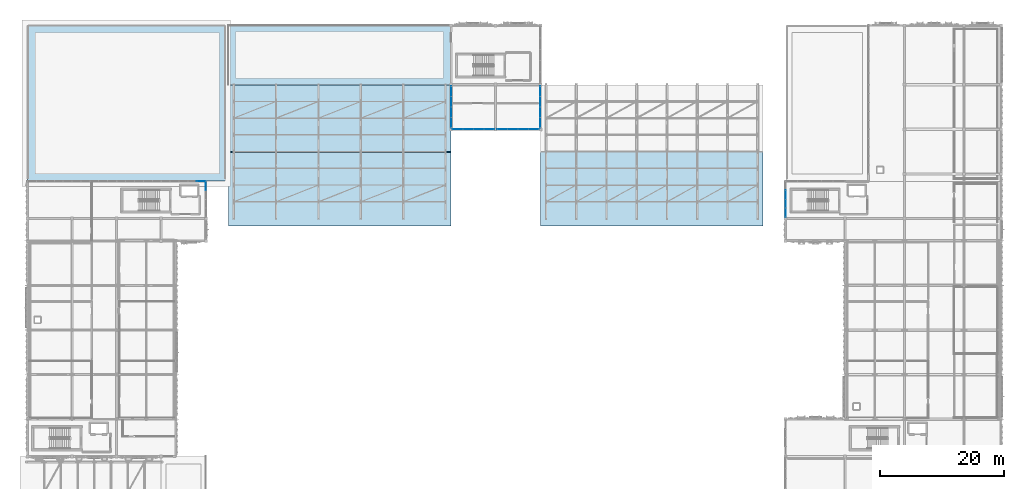
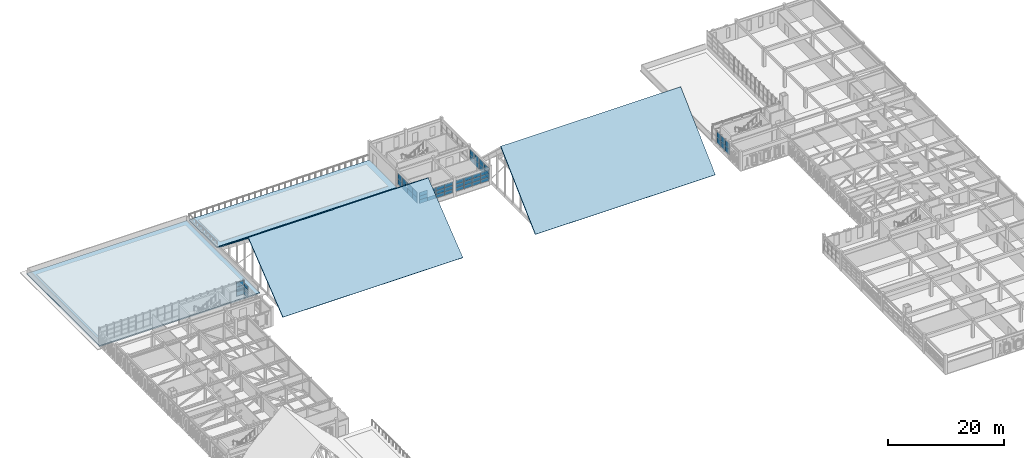
# One storey, part 36 of 79: 52 plates, 5 slabs, 7 elements without a shape of their own.
"""IFC4 building model written with IfcOpenShell, lengths in metres."""

from ifc_helpers import new_model, si_unit, direction, frame, origin, origin_2d, place, context, subcontext, project, spatial, polyline, rectangle, outline, extrude, material, layer, layer_set, type_object, element, aggregate, save


model = new_model("IFC4")

# Units and contexts
model_context = context("Model", 3, precision=1e-05, world=origin(), true_north=direction((0.0, 1.0)))
body_context = subcontext(model_context, "Body", "Model", "MODEL_VIEW")
ifc_project = project(units=[si_unit("LENGTHUNIT", "METRE"), si_unit("AREAUNIT", "SQUARE_METRE"), si_unit("VOLUMEUNIT", "CUBIC_METRE"), si_unit("PLANEANGLEUNIT", "RADIAN"), si_unit("MASSUNIT", "GRAM", prefix="KILO")], contexts=[model_context])

# Site, building, storey
site_placement = place(None, origin())
site = spatial("IfcSite", under=ifc_project, at=site_placement, CompositionType="ELEMENT")
building_placement = place(site_placement, origin())
building = spatial("IfcBuilding", under=site, at=building_placement, Name="Nzembalo Square Collegiate School", CompositionType="ELEMENT")
storey_placement = place(building_placement, frame((0.0, 0.0, 9.52001953125)))
storey = spatial("IfcBuildingStorey", under=building, at=storey_placement, Name="L02", CompositionType="ELEMENT", Elevation=9.52001953125)

# Curtain wall, plates
ifc_material_1 = material(Name="Aluminium 6060-T66", Category="aluminium")
curtain_wall_type_1 = type_object("IfcCurtainWallType", Name="CW-09", PredefinedType="USERDEFINED", material=ifc_material_1)
curtain_wall_1_placement = place(storey_placement, origin())
curtain_wall_1 = element("IfcCurtainWall", 1, at=curtain_wall_1_placement, inside=storey, type_object=curtain_wall_type_1, Name="Curtain wall CW-09 cw:L02:108", ObjectType="UNITISED", PredefinedType="USERDEFINED")
ifc_material_2 = material(Name="Laminated solar-control double glazing", Category="glass")
ifc_layer_1 = layer(ifc_material_2, 0.028076171875, Name="Laminated solar-control double glazing")
ifc_layer_set_1 = layer_set([ifc_layer_1], Name="Laminated solar-control double glazing")
plate_type_1 = type_object("IfcPlateType", Name="PN01", PredefinedType="CURTAIN_PANEL", material=ifc_layer_set_1)
plate_1_placement = place(storey_placement, frame((36.47998046875, 88.800048828125, 0.85400390625), z_axis=(0.0, 0.0, 1.0), x_axis=(1.0, 0.0, 0.0)))
plate_1 = element("IfcPlate", 2, at=plate_1_placement, type_object=plate_type_1, Name="PN01 glazed panel 1-5", PredefinedType="CURTAIN_PANEL", context=body_context, shape_type="SweptSolid", body=[
    extrude(rectangle(XDim=1.431884765625, YDim=0.028076171875, at=origin_2d()), origin(), (0.0, 0.0, 1.0), 0.966552734375),
])
plate_2_placement = place(storey_placement, frame((36.47998046875, 88.800048828125, 1.82861328125), z_axis=(0.0, 0.0, 1.0), x_axis=(1.0, 0.0, 0.0)))
plate_2 = element("IfcPlate", 3, at=plate_2_placement, type_object=plate_type_1, Name="PN01 glazed panel 2-5", PredefinedType="CURTAIN_PANEL", context=body_context, shape_type="SweptSolid", body=[
    extrude(rectangle(XDim=1.431884765625, YDim=0.028076171875, at=origin_2d()), origin(), (0.0, 0.0, 1.0), 0.966552734375),
])
plate_3_placement = place(storey_placement, frame((36.47998046875, 88.800048828125, 2.80322265625), z_axis=(0.0, 0.0, 1.0), x_axis=(1.0, 0.0, 0.0)))
plate_3 = element("IfcPlate", 4, at=plate_3_placement, type_object=plate_type_1, Name="PN01 glazed panel 3-5", PredefinedType="CURTAIN_PANEL", context=body_context, shape_type="SweptSolid", body=[
    extrude(rectangle(XDim=1.431884765625, YDim=0.028076171875, at=origin_2d()), origin(), (0.0, 0.0, 1.0), 0.966552734375),
])
aggregate(curtain_wall_1, [plate_1, plate_2, plate_3])

ifc_material_3 = material(Name="Aluminium 6060-T66", Category="aluminium")
curtain_wall_type_2 = type_object("IfcCurtainWallType", Name="CW-01", PredefinedType="USERDEFINED", material=ifc_material_3)
curtain_wall_2_placement = place(storey_placement, origin())
curtain_wall_2 = element("IfcCurtainWall", 5, at=curtain_wall_2_placement, inside=storey, type_object=curtain_wall_type_2, Name="Curtain wall CW-01 cw:L02:112", ObjectType="UNITISED", PredefinedType="USERDEFINED")
plate_4_placement = place(storey_placement, frame((77.881591796875, 97.199951171875, 0.85400390625), z_axis=(0.0, 0.0, 1.0), x_axis=(1.0, 0.0, 0.0)))
plate_4 = element("IfcPlate", 6, at=plate_4_placement, type_object=plate_type_1, Name="PN01 glazed panel 1-1", PredefinedType="CURTAIN_PANEL", context=body_context, shape_type="SweptSolid", body=[
    extrude(rectangle(XDim=1.6708984375, YDim=0.028076171875, at=origin_2d()), origin(), (0.0, 0.0, 1.0), 0.78173828125),
])
plate_5_placement = place(storey_placement, frame((79.560546875, 97.199951171875, 0.85400390625), z_axis=(0.0, 0.0, 1.0), x_axis=(1.0, 0.0, 0.0)))
plate_5 = element("IfcPlate", 7, at=plate_5_placement, type_object=plate_type_1, Name="PN01 glazed panel 1-2", PredefinedType="CURTAIN_PANEL", context=body_context, shape_type="SweptSolid", body=[
    extrude(rectangle(XDim=1.6708984375, YDim=0.028076171875, at=origin_2d()), origin(), (0.0, 0.0, 1.0), 0.78173828125),
])
plate_6_placement = place(storey_placement, frame((81.239501953125, 97.199951171875, 0.85400390625), z_axis=(0.0, 0.0, 1.0), x_axis=(1.0, 0.0, 0.0)))
plate_6 = element("IfcPlate", 8, at=plate_6_placement, type_object=plate_type_1, Name="PN01 glazed panel 1-3", PredefinedType="CURTAIN_PANEL", context=body_context, shape_type="SweptSolid", body=[
    extrude(rectangle(XDim=1.6708984375, YDim=0.028076171875, at=origin_2d()), origin(), (0.0, 0.0, 1.0), 0.78173828125),
])
plate_7_placement = place(storey_placement, frame((82.91845703125, 97.199951171875, 0.85400390625), z_axis=(0.0, 0.0, 1.0), x_axis=(1.0, 0.0, 0.0)))
plate_7 = element("IfcPlate", 9, at=plate_7_placement, type_object=plate_type_1, Name="PN01 glazed panel 1-4", PredefinedType="CURTAIN_PANEL", context=body_context, shape_type="SweptSolid", body=[
    extrude(rectangle(XDim=1.6708984375, YDim=0.028076171875, at=origin_2d()), origin(), (0.0, 0.0, 1.0), 0.78173828125),
])
plate_8_placement = place(storey_placement, frame((77.881591796875, 97.199951171875, 1.6435546875), z_axis=(0.0, 0.0, 1.0), x_axis=(1.0, 0.0, 0.0)))
plate_8 = element("IfcPlate", 10, at=plate_8_placement, type_object=plate_type_1, Name="PN01 glazed panel 2-1", PredefinedType="CURTAIN_PANEL", context=body_context, shape_type="SweptSolid", body=[
    extrude(rectangle(XDim=1.6708984375, YDim=0.028076171875, at=origin_2d()), origin(), (0.0, 0.0, 1.0), 0.78173828125),
])
plate_9_placement = place(storey_placement, frame((79.560546875, 97.199951171875, 1.6435546875), z_axis=(0.0, 0.0, 1.0), x_axis=(1.0, 0.0, 0.0)))
plate_9 = element("IfcPlate", 11, at=plate_9_placement, type_object=plate_type_1, Name="PN01 glazed panel 2-2", PredefinedType="CURTAIN_PANEL", context=body_context, shape_type="SweptSolid", body=[
    extrude(rectangle(XDim=1.6708984375, YDim=0.028076171875, at=origin_2d()), origin(), (0.0, 0.0, 1.0), 0.78173828125),
])
plate_10_placement = place(storey_placement, frame((81.239501953125, 97.199951171875, 1.6435546875), z_axis=(0.0, 0.0, 1.0), x_axis=(1.0, 0.0, 0.0)))
plate_10 = element("IfcPlate", 12, at=plate_10_placement, type_object=plate_type_1, Name="PN01 glazed panel 2-3", PredefinedType="CURTAIN_PANEL", context=body_context, shape_type="SweptSolid", body=[
    extrude(rectangle(XDim=1.6708984375, YDim=0.028076171875, at=origin_2d()), origin(), (0.0, 0.0, 1.0), 0.78173828125),
])
plate_11_placement = place(storey_placement, frame((82.91845703125, 97.199951171875, 1.6435546875), z_axis=(0.0, 0.0, 1.0), x_axis=(1.0, 0.0, 0.0)))
plate_11 = element("IfcPlate", 13, at=plate_11_placement, type_object=plate_type_1, Name="PN01 glazed panel 2-4", PredefinedType="CURTAIN_PANEL", context=body_context, shape_type="SweptSolid", body=[
    extrude(rectangle(XDim=1.6708984375, YDim=0.028076171875, at=origin_2d()), origin(), (0.0, 0.0, 1.0), 0.78173828125),
])
plate_12_placement = place(storey_placement, frame((77.881591796875, 97.199951171875, 2.433349609375), z_axis=(0.0, 0.0, 1.0), x_axis=(1.0, 0.0, 0.0)))
plate_12 = element("IfcPlate", 14, at=plate_12_placement, type_object=plate_type_1, Name="PN01 glazed panel 3-1", PredefinedType="CURTAIN_PANEL", context=body_context, shape_type="SweptSolid", body=[
    extrude(rectangle(XDim=1.6708984375, YDim=0.028076171875, at=origin_2d()), origin(), (0.0, 0.0, 1.0), 0.78173828125),
])
plate_13_placement = place(storey_placement, frame((79.560546875, 97.199951171875, 2.433349609375), z_axis=(0.0, 0.0, 1.0), x_axis=(1.0, 0.0, 0.0)))
plate_13 = element("IfcPlate", 15, at=plate_13_placement, type_object=plate_type_1, Name="PN01 glazed panel 3-2", PredefinedType="CURTAIN_PANEL", context=body_context, shape_type="SweptSolid", body=[
    extrude(rectangle(XDim=1.6708984375, YDim=0.028076171875, at=origin_2d()), origin(), (0.0, 0.0, 1.0), 0.78173828125),
])
plate_14_placement = place(storey_placement, frame((81.239501953125, 97.199951171875, 2.433349609375), z_axis=(0.0, 0.0, 1.0), x_axis=(1.0, 0.0, 0.0)))
plate_14 = element("IfcPlate", 16, at=plate_14_placement, type_object=plate_type_1, Name="PN01 glazed panel 3-3", PredefinedType="CURTAIN_PANEL", context=body_context, shape_type="SweptSolid", body=[
    extrude(rectangle(XDim=1.6708984375, YDim=0.028076171875, at=origin_2d()), origin(), (0.0, 0.0, 1.0), 0.78173828125),
])
plate_15_placement = place(storey_placement, frame((82.91845703125, 97.199951171875, 2.433349609375), z_axis=(0.0, 0.0, 1.0), x_axis=(1.0, 0.0, 0.0)))
plate_15 = element("IfcPlate", 17, at=plate_15_placement, type_object=plate_type_1, Name="PN01 glazed panel 3-4", PredefinedType="CURTAIN_PANEL", context=body_context, shape_type="SweptSolid", body=[
    extrude(rectangle(XDim=1.6708984375, YDim=0.028076171875, at=origin_2d()), origin(), (0.0, 0.0, 1.0), 0.78173828125),
])
aggregate(curtain_wall_2, [plate_4, plate_5, plate_6, plate_7, plate_8, plate_9, plate_10, plate_11, plate_12, plate_13, plate_14, plate_15])

ifc_material_4 = material(Name="Aluminium 6060-T66", Category="aluminium")
curtain_wall_type_3 = type_object("IfcCurtainWallType", Name="CW-02", PredefinedType="USERDEFINED", material=ifc_material_4)
curtain_wall_3_placement = place(storey_placement, origin())
curtain_wall_3 = element("IfcCurtainWall", 18, at=curtain_wall_3_placement, inside=storey, type_object=curtain_wall_type_3, Name="Curtain wall CW-02 cw:L02:113", ObjectType="UNITISED", PredefinedType="USERDEFINED")
plate_16_placement = place(storey_placement, frame((85.08154296875, 97.199951171875, 0.85400390625), z_axis=(0.0, 0.0, 1.0), x_axis=(1.0, 0.0, 0.0)))
plate_16 = element("IfcPlate", 19, at=plate_16_placement, type_object=plate_type_1, Name="PN01 glazed panel 1-1", PredefinedType="CURTAIN_PANEL", context=body_context, shape_type="SweptSolid", body=[
    extrude(rectangle(XDim=1.6708984375, YDim=0.028076171875, at=origin_2d()), origin(), (0.0, 0.0, 1.0), 0.78173828125),
])
plate_17_placement = place(storey_placement, frame((86.760498046875, 97.199951171875, 0.85400390625), z_axis=(0.0, 0.0, 1.0), x_axis=(1.0, 0.0, 0.0)))
plate_17 = element("IfcPlate", 20, at=plate_17_placement, type_object=plate_type_1, Name="PN01 glazed panel 1-2", PredefinedType="CURTAIN_PANEL", context=body_context, shape_type="SweptSolid", body=[
    extrude(rectangle(XDim=1.6708984375, YDim=0.028076171875, at=origin_2d()), origin(), (0.0, 0.0, 1.0), 0.78173828125),
])
plate_18_placement = place(storey_placement, frame((88.439453125, 97.199951171875, 0.85400390625), z_axis=(0.0, 0.0, 1.0), x_axis=(1.0, 0.0, 0.0)))
plate_18 = element("IfcPlate", 21, at=plate_18_placement, type_object=plate_type_1, Name="PN01 glazed panel 1-3", PredefinedType="CURTAIN_PANEL", context=body_context, shape_type="SweptSolid", body=[
    extrude(rectangle(XDim=1.6708984375, YDim=0.028076171875, at=origin_2d()), origin(), (0.0, 0.0, 1.0), 0.78173828125),
])
plate_19_placement = place(storey_placement, frame((90.118408203125, 97.199951171875, 0.85400390625), z_axis=(0.0, 0.0, 1.0), x_axis=(1.0, 0.0, 0.0)))
plate_19 = element("IfcPlate", 22, at=plate_19_placement, type_object=plate_type_1, Name="PN01 glazed panel 1-4", PredefinedType="CURTAIN_PANEL", context=body_context, shape_type="SweptSolid", body=[
    extrude(rectangle(XDim=1.6708984375, YDim=0.028076171875, at=origin_2d()), origin(), (0.0, 0.0, 1.0), 0.78173828125),
])
plate_20_placement = place(storey_placement, frame((85.08154296875, 97.199951171875, 1.6435546875), z_axis=(0.0, 0.0, 1.0), x_axis=(1.0, 0.0, 0.0)))
plate_20 = element("IfcPlate", 23, at=plate_20_placement, type_object=plate_type_1, Name="PN01 glazed panel 2-1", PredefinedType="CURTAIN_PANEL", context=body_context, shape_type="SweptSolid", body=[
    extrude(rectangle(XDim=1.6708984375, YDim=0.028076171875, at=origin_2d()), origin(), (0.0, 0.0, 1.0), 0.78173828125),
])
plate_21_placement = place(storey_placement, frame((86.760498046875, 97.199951171875, 1.6435546875), z_axis=(0.0, 0.0, 1.0), x_axis=(1.0, 0.0, 0.0)))
plate_21 = element("IfcPlate", 24, at=plate_21_placement, type_object=plate_type_1, Name="PN01 glazed panel 2-2", PredefinedType="CURTAIN_PANEL", context=body_context, shape_type="SweptSolid", body=[
    extrude(rectangle(XDim=1.6708984375, YDim=0.028076171875, at=origin_2d()), origin(), (0.0, 0.0, 1.0), 0.78173828125),
])
plate_22_placement = place(storey_placement, frame((88.439453125, 97.199951171875, 1.6435546875), z_axis=(0.0, 0.0, 1.0), x_axis=(1.0, 0.0, 0.0)))
plate_22 = element("IfcPlate", 25, at=plate_22_placement, type_object=plate_type_1, Name="PN01 glazed panel 2-3", PredefinedType="CURTAIN_PANEL", context=body_context, shape_type="SweptSolid", body=[
    extrude(rectangle(XDim=1.6708984375, YDim=0.028076171875, at=origin_2d()), origin(), (0.0, 0.0, 1.0), 0.78173828125),
])
plate_23_placement = place(storey_placement, frame((90.118408203125, 97.199951171875, 1.6435546875), z_axis=(0.0, 0.0, 1.0), x_axis=(1.0, 0.0, 0.0)))
plate_23 = element("IfcPlate", 26, at=plate_23_placement, type_object=plate_type_1, Name="PN01 glazed panel 2-4", PredefinedType="CURTAIN_PANEL", context=body_context, shape_type="SweptSolid", body=[
    extrude(rectangle(XDim=1.6708984375, YDim=0.028076171875, at=origin_2d()), origin(), (0.0, 0.0, 1.0), 0.78173828125),
])
plate_24_placement = place(storey_placement, frame((85.08154296875, 97.199951171875, 2.433349609375), z_axis=(0.0, 0.0, 1.0), x_axis=(1.0, 0.0, 0.0)))
plate_24 = element("IfcPlate", 27, at=plate_24_placement, type_object=plate_type_1, Name="PN01 glazed panel 3-1", PredefinedType="CURTAIN_PANEL", context=body_context, shape_type="SweptSolid", body=[
    extrude(rectangle(XDim=1.6708984375, YDim=0.028076171875, at=origin_2d()), origin(), (0.0, 0.0, 1.0), 0.78173828125),
])
plate_25_placement = place(storey_placement, frame((86.760498046875, 97.199951171875, 2.433349609375), z_axis=(0.0, 0.0, 1.0), x_axis=(1.0, 0.0, 0.0)))
plate_25 = element("IfcPlate", 28, at=plate_25_placement, type_object=plate_type_1, Name="PN01 glazed panel 3-2", PredefinedType="CURTAIN_PANEL", context=body_context, shape_type="SweptSolid", body=[
    extrude(rectangle(XDim=1.6708984375, YDim=0.028076171875, at=origin_2d()), origin(), (0.0, 0.0, 1.0), 0.78173828125),
])
plate_26_placement = place(storey_placement, frame((88.439453125, 97.199951171875, 2.433349609375), z_axis=(0.0, 0.0, 1.0), x_axis=(1.0, 0.0, 0.0)))
plate_26 = element("IfcPlate", 29, at=plate_26_placement, type_object=plate_type_1, Name="PN01 glazed panel 3-3", PredefinedType="CURTAIN_PANEL", context=body_context, shape_type="SweptSolid", body=[
    extrude(rectangle(XDim=1.6708984375, YDim=0.028076171875, at=origin_2d()), origin(), (0.0, 0.0, 1.0), 0.78173828125),
])
plate_27_placement = place(storey_placement, frame((90.118408203125, 97.199951171875, 2.433349609375), z_axis=(0.0, 0.0, 1.0), x_axis=(1.0, 0.0, 0.0)))
plate_27 = element("IfcPlate", 30, at=plate_27_placement, type_object=plate_type_1, Name="PN01 glazed panel 3-4", PredefinedType="CURTAIN_PANEL", context=body_context, shape_type="SweptSolid", body=[
    extrude(rectangle(XDim=1.6708984375, YDim=0.028076171875, at=origin_2d()), origin(), (0.0, 0.0, 1.0), 0.78173828125),
])
aggregate(curtain_wall_3, [plate_16, plate_17, plate_18, plate_19, plate_20, plate_21, plate_22, plate_23, plate_24, plate_25, plate_26, plate_27])

ifc_material_5 = material(Name="Aluminium 6060-T66", Category="aluminium")
curtain_wall_type_4 = type_object("IfcCurtainWallType", Name="CW-04", PredefinedType="USERDEFINED", material=ifc_material_5)
curtain_wall_4_placement = place(storey_placement, origin())
curtain_wall_4 = element("IfcCurtainWall", 31, at=curtain_wall_4_placement, inside=storey, type_object=curtain_wall_type_4, Name="Curtain wall CW-04 cw:L02:099", ObjectType="UNITISED", PredefinedType="USERDEFINED")
ifc_material_6 = material(Name="Acoustic laminated solar-control glazing", Category="glass")
ifc_layer_2 = layer(ifc_material_6, 0.031982421875, Name="Acoustic laminated solar-control glazing")
ifc_layer_set_2 = layer_set([ifc_layer_2], Name="Acoustic laminated solar-control glazing")
plate_type_2 = type_object("IfcPlateType", Name="PN02", PredefinedType="CURTAIN_PANEL", material=ifc_layer_set_2)
plate_28_placement = place(storey_placement, frame((130.800048828125, 83.76171875, 0.85400390625), z_axis=(0.0, 0.0, 1.0), x_axis=(0.0, 1.0, 0.0)))
plate_28 = element("IfcPlate", 32, at=plate_28_placement, type_object=plate_type_2, Name="PN02 glazed panel 1-1", PredefinedType="CURTAIN_PANEL", context=body_context, shape_type="SweptSolid", body=[
    extrude(rectangle(XDim=1.431396484375, YDim=0.031982421875, at=origin_2d()), origin(), (0.0, 0.0, 1.0), 1.216552734375),
])
plate_29_placement = place(storey_placement, frame((130.800048828125, 85.201171875, 0.85400390625), z_axis=(0.0, 0.0, 1.0), x_axis=(0.0, 1.0, 0.0)))
plate_29 = element("IfcPlate", 33, at=plate_29_placement, type_object=plate_type_2, Name="PN02 glazed panel 1-2", PredefinedType="CURTAIN_PANEL", context=body_context, shape_type="SweptSolid", body=[
    extrude(rectangle(XDim=1.431396484375, YDim=0.031982421875, at=origin_2d()), origin(), (0.0, 0.0, 1.0), 1.216552734375),
])
plate_30_placement = place(storey_placement, frame((130.800048828125, 86.640869140625, 0.85400390625), z_axis=(0.0, 0.0, 1.0), x_axis=(0.0, 1.0, 0.0)))
plate_30 = element("IfcPlate", 34, at=plate_30_placement, type_object=plate_type_2, Name="PN02 glazed panel 1-3", PredefinedType="CURTAIN_PANEL", context=body_context, shape_type="SweptSolid", body=[
    extrude(rectangle(XDim=1.431396484375, YDim=0.031982421875, at=origin_2d()), origin(), (0.0, 0.0, 1.0), 1.216552734375),
])
plate_31_placement = place(storey_placement, frame((130.800048828125, 83.76171875, 2.07861328125), z_axis=(0.0, 0.0, 1.0), x_axis=(0.0, 1.0, 0.0)))
plate_31 = element("IfcPlate", 35, at=plate_31_placement, type_object=plate_type_2, Name="PN02 glazed panel 2-1", PredefinedType="CURTAIN_PANEL", context=body_context, shape_type="SweptSolid", body=[
    extrude(rectangle(XDim=1.431396484375, YDim=0.031982421875, at=origin_2d()), origin(), (0.0, 0.0, 1.0), 1.216552734375),
])
plate_32_placement = place(storey_placement, frame((130.800048828125, 85.201171875, 2.07861328125), z_axis=(0.0, 0.0, 1.0), x_axis=(0.0, 1.0, 0.0)))
plate_32 = element("IfcPlate", 36, at=plate_32_placement, type_object=plate_type_2, Name="PN02 glazed panel 2-2", PredefinedType="CURTAIN_PANEL", context=body_context, shape_type="SweptSolid", body=[
    extrude(rectangle(XDim=1.431396484375, YDim=0.031982421875, at=origin_2d()), origin(), (0.0, 0.0, 1.0), 1.216552734375),
])
plate_33_placement = place(storey_placement, frame((130.800048828125, 86.640869140625, 2.07861328125), z_axis=(0.0, 0.0, 1.0), x_axis=(0.0, 1.0, 0.0)))
plate_33 = element("IfcPlate", 37, at=plate_33_placement, type_object=plate_type_2, Name="PN02 glazed panel 2-3", PredefinedType="CURTAIN_PANEL", context=body_context, shape_type="SweptSolid", body=[
    extrude(rectangle(XDim=1.431396484375, YDim=0.031982421875, at=origin_2d()), origin(), (0.0, 0.0, 1.0), 1.216552734375),
])
aggregate(curtain_wall_4, [plate_28, plate_29, plate_30, plate_31, plate_32, plate_33])

ifc_material_7 = material(Name="Aluminium 6060-T66", Category="aluminium")
curtain_wall_type_5 = type_object("IfcCurtainWallType", Name="CW-06", PredefinedType="USERDEFINED", material=ifc_material_7)
curtain_wall_5_placement = place(storey_placement, origin())
curtain_wall_5 = element("IfcCurtainWall", 38, at=curtain_wall_5_placement, inside=storey, type_object=curtain_wall_type_5, Name="Curtain wall CW-06 cw:L02:109", ObjectType="LANCET", PredefinedType="USERDEFINED")
plate_34_placement = place(storey_placement, frame((37.199951171875, 88.080322265625, 0.85400390625), z_axis=(0.0, 0.0, 1.0), x_axis=(0.0, 1.0, 0.0)))
plate_34 = element("IfcPlate", 39, at=plate_34_placement, type_object=plate_type_2, Name="PN02 glazed panel 1-4", PredefinedType="CURTAIN_PANEL", context=body_context, shape_type="SweptSolid", body=[
    extrude(rectangle(XDim=1.431396484375, YDim=0.031982421875, at=origin_2d()), origin(), (0.0, 0.0, 1.0), 0.808349609375),
])
plate_35_placement = place(storey_placement, frame((37.199951171875, 88.080322265625, 1.67041015625), z_axis=(0.0, 0.0, 1.0), x_axis=(0.0, 1.0, 0.0)))
plate_35 = element("IfcPlate", 40, at=plate_35_placement, type_object=plate_type_2, Name="PN02 glazed panel 2-4", PredefinedType="CURTAIN_PANEL", context=body_context, shape_type="SweptSolid", body=[
    extrude(rectangle(XDim=1.431396484375, YDim=0.031982421875, at=origin_2d()), origin(), (0.0, 0.0, 1.0), 0.808349609375),
])
plate_36_placement = place(storey_placement, frame((37.199951171875, 88.080322265625, 2.48681640625), z_axis=(0.0, 0.0, 1.0), x_axis=(0.0, 1.0, 0.0)))
plate_36 = element("IfcPlate", 41, at=plate_36_placement, type_object=plate_type_2, Name="PN02 glazed panel 3-4", PredefinedType="CURTAIN_PANEL", context=body_context, shape_type="SweptSolid", body=[
    extrude(rectangle(XDim=1.431396484375, YDim=0.031982421875, at=origin_2d()), origin(), (0.0, 0.0, 1.0), 0.808349609375),
])
aggregate(curtain_wall_5, [plate_34, plate_35, plate_36])

ifc_material_8 = material(Name="Aluminium 6060-T66", Category="aluminium")
curtain_wall_type_6 = type_object("IfcCurtainWallType", Name="CW-07", PredefinedType="USERDEFINED", material=ifc_material_8)
curtain_wall_6_placement = place(storey_placement, origin())
curtain_wall_6 = element("IfcCurtainWall", 42, at=curtain_wall_6_placement, inside=storey, type_object=curtain_wall_type_6, Name="Curtain wall CW-07 cw:L02:110", ObjectType="LANCET", PredefinedType="USERDEFINED")
plate_37_placement = place(storey_placement, frame((91.199951171875, 98.281494140625, 0.85400390625), z_axis=(0.0, 0.0, 1.0), x_axis=(0.0, 1.0, 0.0)))
plate_37 = element("IfcPlate", 43, at=plate_37_placement, type_object=plate_type_2, Name="PN02 glazed panel 1-1", PredefinedType="CURTAIN_PANEL", context=body_context, shape_type="SweptSolid", body=[
    extrude(rectangle(XDim=1.6708984375, YDim=0.031982421875, at=origin_2d()), origin(), (0.0, 0.0, 1.0), 1.176513671875),
])
plate_38_placement = place(storey_placement, frame((91.199951171875, 99.96044921875, 0.85400390625), z_axis=(0.0, 0.0, 1.0), x_axis=(0.0, 1.0, 0.0)))
plate_38 = element("IfcPlate", 44, at=plate_38_placement, type_object=plate_type_2, Name="PN02 glazed panel 1-2", PredefinedType="CURTAIN_PANEL", context=body_context, shape_type="SweptSolid", body=[
    extrude(rectangle(XDim=1.6708984375, YDim=0.031982421875, at=origin_2d()), origin(), (0.0, 0.0, 1.0), 1.176513671875),
])
plate_39_placement = place(storey_placement, frame((91.199951171875, 101.639404296875, 0.85400390625), z_axis=(0.0, 0.0, 1.0), x_axis=(0.0, 1.0, 0.0)))
plate_39 = element("IfcPlate", 45, at=plate_39_placement, type_object=plate_type_2, Name="PN02 glazed panel 1-3", PredefinedType="CURTAIN_PANEL", context=body_context, shape_type="SweptSolid", body=[
    extrude(rectangle(XDim=1.6708984375, YDim=0.031982421875, at=origin_2d()), origin(), (0.0, 0.0, 1.0), 1.176513671875),
])
plate_40_placement = place(storey_placement, frame((91.199951171875, 103.318603515625, 0.85400390625), z_axis=(0.0, 0.0, 1.0), x_axis=(0.0, 1.0, 0.0)))
plate_40 = element("IfcPlate", 46, at=plate_40_placement, type_object=plate_type_2, Name="PN02 glazed panel 1-4", PredefinedType="CURTAIN_PANEL", context=body_context, shape_type="SweptSolid", body=[
    extrude(rectangle(XDim=1.6708984375, YDim=0.031982421875, at=origin_2d()), origin(), (0.0, 0.0, 1.0), 1.176513671875),
])
plate_41_placement = place(storey_placement, frame((91.199951171875, 98.281494140625, 2.03857421875), z_axis=(0.0, 0.0, 1.0), x_axis=(0.0, 1.0, 0.0)))
plate_41 = element("IfcPlate", 47, at=plate_41_placement, type_object=plate_type_2, Name="PN02 glazed panel 2-1", PredefinedType="CURTAIN_PANEL", context=body_context, shape_type="SweptSolid", body=[
    extrude(rectangle(XDim=1.6708984375, YDim=0.031982421875, at=origin_2d()), origin(), (0.0, 0.0, 1.0), 1.176513671875),
])
plate_42_placement = place(storey_placement, frame((91.199951171875, 99.96044921875, 2.03857421875), z_axis=(0.0, 0.0, 1.0), x_axis=(0.0, 1.0, 0.0)))
plate_42 = element("IfcPlate", 48, at=plate_42_placement, type_object=plate_type_2, Name="PN02 glazed panel 2-2", PredefinedType="CURTAIN_PANEL", context=body_context, shape_type="SweptSolid", body=[
    extrude(rectangle(XDim=1.6708984375, YDim=0.031982421875, at=origin_2d()), origin(), (0.0, 0.0, 1.0), 1.176513671875),
])
plate_43_placement = place(storey_placement, frame((91.199951171875, 101.639404296875, 2.03857421875), z_axis=(0.0, 0.0, 1.0), x_axis=(0.0, 1.0, 0.0)))
plate_43 = element("IfcPlate", 49, at=plate_43_placement, type_object=plate_type_2, Name="PN02 glazed panel 2-3", PredefinedType="CURTAIN_PANEL", context=body_context, shape_type="SweptSolid", body=[
    extrude(rectangle(XDim=1.6708984375, YDim=0.031982421875, at=origin_2d()), origin(), (0.0, 0.0, 1.0), 1.176513671875),
])
plate_44_placement = place(storey_placement, frame((91.199951171875, 103.318603515625, 2.03857421875), z_axis=(0.0, 0.0, 1.0), x_axis=(0.0, 1.0, 0.0)))
plate_44 = element("IfcPlate", 50, at=plate_44_placement, type_object=plate_type_2, Name="PN02 glazed panel 2-4", PredefinedType="CURTAIN_PANEL", context=body_context, shape_type="SweptSolid", body=[
    extrude(rectangle(XDim=1.6708984375, YDim=0.031982421875, at=origin_2d()), origin(), (0.0, 0.0, 1.0), 1.176513671875),
])
aggregate(curtain_wall_6, [plate_37, plate_38, plate_39, plate_40, plate_41, plate_42, plate_43, plate_44])

ifc_material_9 = material(Name="Aluminium 6060-T66", Category="aluminium")
curtain_wall_type_7 = type_object("IfcCurtainWallType", Name="CW-03", PredefinedType="USERDEFINED", material=ifc_material_9)
curtain_wall_7_placement = place(storey_placement, origin())
curtain_wall_7 = element("IfcCurtainWall", 51, at=curtain_wall_7_placement, inside=storey, type_object=curtain_wall_type_7, Name="Curtain wall CW-03 cw:L02:114", ObjectType="UNITISED", PredefinedType="USERDEFINED")
plate_45_placement = place(storey_placement, frame((76.800048828125, 98.281494140625, 0.85400390625), z_axis=(0.0, 0.0, 1.0), x_axis=(0.0, 1.0, 0.0)))
plate_45 = element("IfcPlate", 52, at=plate_45_placement, type_object=plate_type_2, Name="PN02 glazed panel 1-1", PredefinedType="CURTAIN_PANEL", context=body_context, shape_type="SweptSolid", body=[
    extrude(rectangle(XDim=1.6708984375, YDim=0.031982421875, at=origin_2d()), origin(), (0.0, 0.0, 1.0), 1.176513671875),
])
plate_46_placement = place(storey_placement, frame((76.800048828125, 99.96044921875, 0.85400390625), z_axis=(0.0, 0.0, 1.0), x_axis=(0.0, 1.0, 0.0)))
plate_46 = element("IfcPlate", 53, at=plate_46_placement, type_object=plate_type_2, Name="PN02 glazed panel 1-2", PredefinedType="CURTAIN_PANEL", context=body_context, shape_type="SweptSolid", body=[
    extrude(rectangle(XDim=1.6708984375, YDim=0.031982421875, at=origin_2d()), origin(), (0.0, 0.0, 1.0), 1.176513671875),
])
plate_47_placement = place(storey_placement, frame((76.800048828125, 101.639404296875, 0.85400390625), z_axis=(0.0, 0.0, 1.0), x_axis=(0.0, 1.0, 0.0)))
plate_47 = element("IfcPlate", 54, at=plate_47_placement, type_object=plate_type_2, Name="PN02 glazed panel 1-3", PredefinedType="CURTAIN_PANEL", context=body_context, shape_type="SweptSolid", body=[
    extrude(rectangle(XDim=1.6708984375, YDim=0.031982421875, at=origin_2d()), origin(), (0.0, 0.0, 1.0), 1.176513671875),
])
plate_48_placement = place(storey_placement, frame((76.800048828125, 103.318603515625, 0.85400390625), z_axis=(0.0, 0.0, 1.0), x_axis=(0.0, 1.0, 0.0)))
plate_48 = element("IfcPlate", 55, at=plate_48_placement, type_object=plate_type_2, Name="PN02 glazed panel 1-4", PredefinedType="CURTAIN_PANEL", context=body_context, shape_type="SweptSolid", body=[
    extrude(rectangle(XDim=1.6708984375, YDim=0.031982421875, at=origin_2d()), origin(), (0.0, 0.0, 1.0), 1.176513671875),
])
plate_49_placement = place(storey_placement, frame((76.800048828125, 98.281494140625, 2.03857421875), z_axis=(0.0, 0.0, 1.0), x_axis=(0.0, 1.0, 0.0)))
plate_49 = element("IfcPlate", 56, at=plate_49_placement, type_object=plate_type_2, Name="PN02 glazed panel 2-1", PredefinedType="CURTAIN_PANEL", context=body_context, shape_type="SweptSolid", body=[
    extrude(rectangle(XDim=1.6708984375, YDim=0.031982421875, at=origin_2d()), origin(), (0.0, 0.0, 1.0), 1.176513671875),
])
plate_50_placement = place(storey_placement, frame((76.800048828125, 99.96044921875, 2.03857421875), z_axis=(0.0, 0.0, 1.0), x_axis=(0.0, 1.0, 0.0)))
plate_50 = element("IfcPlate", 57, at=plate_50_placement, type_object=plate_type_2, Name="PN02 glazed panel 2-2", PredefinedType="CURTAIN_PANEL", context=body_context, shape_type="SweptSolid", body=[
    extrude(rectangle(XDim=1.6708984375, YDim=0.031982421875, at=origin_2d()), origin(), (0.0, 0.0, 1.0), 1.176513671875),
])
plate_51_placement = place(storey_placement, frame((76.800048828125, 101.639404296875, 2.03857421875), z_axis=(0.0, 0.0, 1.0), x_axis=(0.0, 1.0, 0.0)))
plate_51 = element("IfcPlate", 58, at=plate_51_placement, type_object=plate_type_2, Name="PN02 glazed panel 2-3", PredefinedType="CURTAIN_PANEL", context=body_context, shape_type="SweptSolid", body=[
    extrude(rectangle(XDim=1.6708984375, YDim=0.031982421875, at=origin_2d()), origin(), (0.0, 0.0, 1.0), 1.176513671875),
])
plate_52_placement = place(storey_placement, frame((76.800048828125, 103.318603515625, 2.03857421875), z_axis=(0.0, 0.0, 1.0), x_axis=(0.0, 1.0, 0.0)))
plate_52 = element("IfcPlate", 59, at=plate_52_placement, type_object=plate_type_2, Name="PN02 glazed panel 2-4", PredefinedType="CURTAIN_PANEL", context=body_context, shape_type="SweptSolid", body=[
    extrude(rectangle(XDim=1.6708984375, YDim=0.031982421875, at=origin_2d()), origin(), (0.0, 0.0, 1.0), 1.176513671875),
])
aggregate(curtain_wall_7, [plate_45, plate_46, plate_47, plate_48, plate_49, plate_50, plate_51, plate_52])

# Slabs
ifc_material_10 = material(Name="CLT CL24", Category="wood")
ifc_layer_3 = layer(ifc_material_10, 0.27001953125, Name="CLT CL24")
ifc_layer_set_3 = layer_set([ifc_layer_3], Name="CLT CL24")
slab_type_1 = type_object("IfcSlabType", Name="RS-F27", PredefinedType="ROOF", material=ifc_layer_set_3)
slab_1_placement = place(storey_placement, frame((0.0, 0.0, -0.27001953125)))
element("IfcSlab", 60, at=slab_1_placement, inside=storey, type_object=slab_type_1, Name="Step roof slab RS-L02-NW", PredefinedType="ROOF", context=body_context, shape_type="SweptSolid", body=[
    extrude(outline(polyline([(8.39990234375, 88.840087890625), (40.39990234375, 88.840087890625), (40.39990234375, 114.0), (8.39990234375, 114.0), (8.39990234375, 88.840087890625)])), origin(), (0.0, 0.0, 1.0), 0.27001953125),
])
ifc_material_11 = material(Name="CLT CL24", Category="wood")
ifc_layer_4 = layer(ifc_material_11, 0.199951171875, Name="CLT CL24")
ifc_layer_set_4 = layer_set([ifc_layer_4], Name="CLT CL24")
slab_type_2 = type_object("IfcSlabType", Name="RS-P20", PredefinedType="ROOF", material=ifc_layer_set_4)
slab_2_placement = place(storey_placement, frame((40.840087890625, 81.60009765625, -0.95556640625), z_axis=(0.0, -0.622931110498, 0.782276697578), x_axis=(1.0, 0.0, 0.0)))
element("IfcSlab", 61, at=slab_2_placement, inside=storey, type_object=slab_type_2, Name="Dining Refectory Roof S slope RS-DH1-S", PredefinedType="ROOF", context=body_context, shape_type="SweptSolid", body=[
    extrude(outline(polyline([(0.0, 0.0), (35.919921875, 0.0), (35.919921875, 15.339840796936388), (0.0, 15.339840796936388), (0.0, 0.0)])), origin(), (0.0, 0.0, -1.0), 0.199951171875),
])
slab_3_placement = place(storey_placement, frame((40.840087890625, 93.60009765625, 8.60009765625), z_axis=(0.0, 0.622924971413, 0.782281586125), x_axis=(1.0, 0.0, 0.0)))
element("IfcSlab", 62, at=slab_3_placement, inside=storey, type_object=slab_type_2, Name="Dining Refectory Roof N slope RS-DH1-N", PredefinedType="ROOF", context=body_context, shape_type="SweptSolid", body=[
    extrude(outline(polyline([(0.0, 0.0), (35.919921875, 0.0), (35.919921875, 13.75465044360904), (0.0, 13.75465044360904), (0.0, 0.0)])), origin(), (0.0, 0.0, -1.0), 0.199951171875),
])
ifc_material_12 = material(Name="CLT CL24", Category="wood")
ifc_layer_5 = layer(ifc_material_12, 0.219970703125, Name="CLT CL24")
ifc_layer_set_5 = layer_set([ifc_layer_5], Name="CLT CL24")
slab_type_3 = type_object("IfcSlabType", Name="RS-P22", PredefinedType="ROOF", material=ifc_layer_set_5)
slab_4_placement = place(storey_placement, frame((91.239990234375, 81.60009765625, -1.13330078125), z_axis=(0.0, -0.686620927011, 0.727015613719), x_axis=(1.0, 0.0, 0.0)))
element("IfcSlab", 63, at=slab_4_placement, inside=storey, type_object=slab_type_3, Name="Assembly Hall Roof S slope RS-AH1-S", PredefinedType="ROOF", context=body_context, shape_type="SweptSolid", body=[
    extrude(outline(polyline([(0.0, 0.0), (35.919921875, 0.0), (35.919921875, 16.505835326726476), (0.0, 16.505835326726476), (0.0, 0.0)])), origin(), (0.0, 0.0, -1.0), 0.219970703125),
])
ifc_material_13 = material(Name="Concrete C35/45", Category="concrete")
ifc_layer_6 = layer(ifc_material_13, 0.22998046875, Name="Concrete C35/45")
ifc_layer_set_6 = layer_set([ifc_layer_6], Name="Concrete C35/45")
slab_type_4 = type_object("IfcSlabType", Name="SL-02E", PredefinedType="FLOOR", material=ifc_layer_set_6)
slab_5_placement = place(storey_placement, frame((0.0, 0.0, -0.22998046875)))
element("IfcSlab", 64, at=slab_5_placement, inside=storey, type_object=slab_type_4, Name="Slab SL-L02-64", PredefinedType="FLOOR", context=body_context, shape_type="SweptSolid", body=[
    extrude(outline(polyline([(40.800048828125, 104.39990234375), (76.800048828125, 104.39990234375), (76.800048828125, 114.0), (40.800048828125, 114.0), (40.800048828125, 104.39990234375)])), origin(), (0.0, 0.0, 1.0), 0.22998046875),
])

save(model, "model.ifc")
